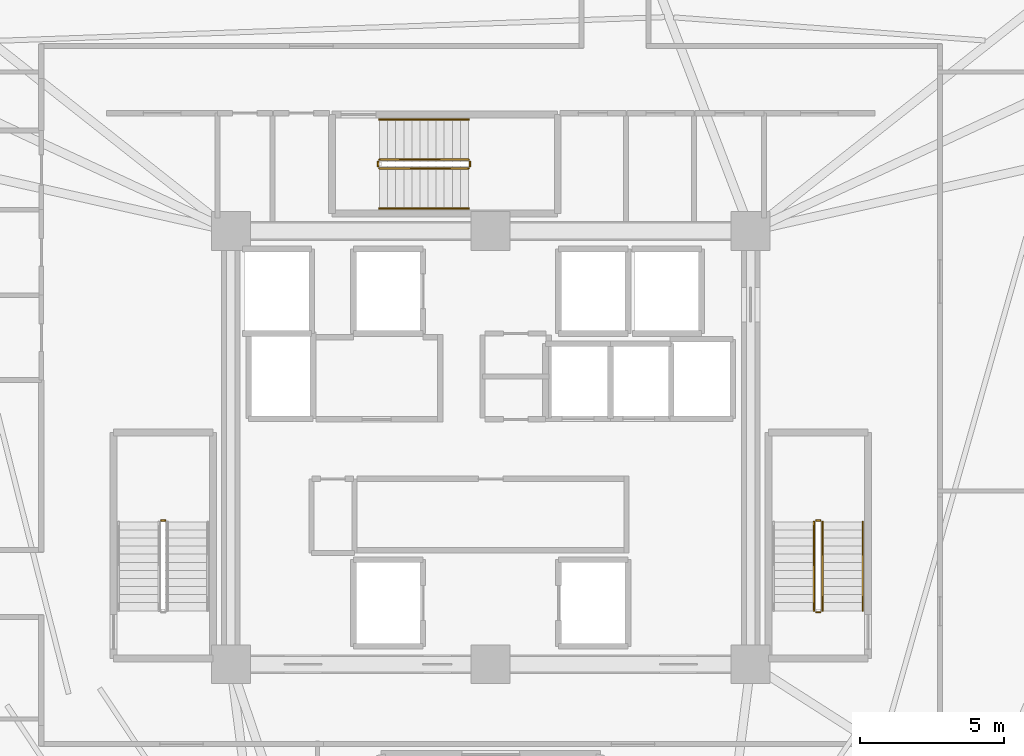
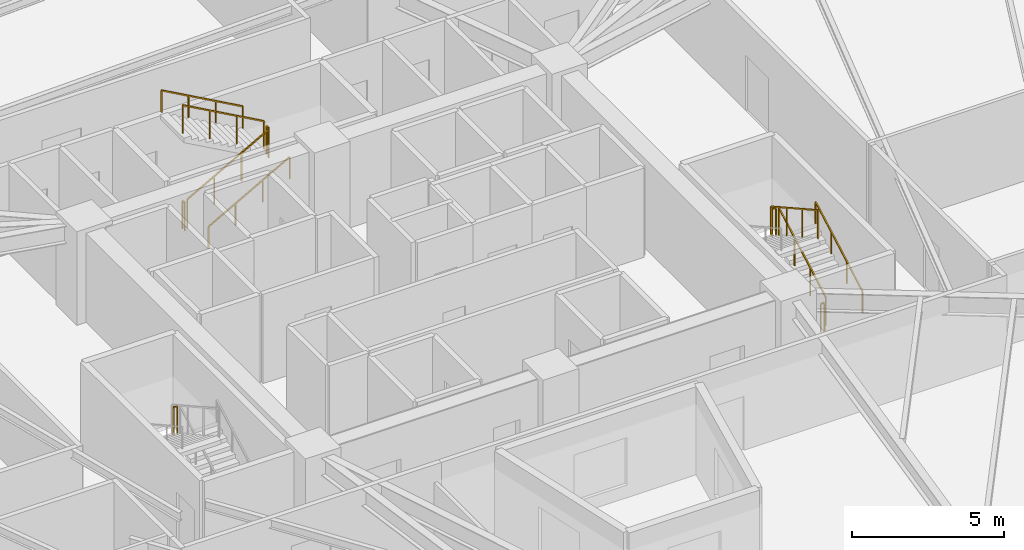
# One storey, part 10 of 10: 12 railings.
"""IFC4 building model written with IfcOpenShell, lengths in metres."""

from ifc_helpers import new_model, si_unit, direction, frame, origin, origin_2d, place, context, subcontext, project, spatial, rectangle, extrude, material, type_object, element, save


model = new_model("IFC4")

# Units and contexts
model_context = context("Model", 3, precision=1e-05, world=origin(), true_north=direction((0.0, 1.0)))
body_context = subcontext(model_context, "Body", "Model", "MODEL_VIEW")
ifc_project = project(units=[si_unit("LENGTHUNIT", "METRE"), si_unit("AREAUNIT", "SQUARE_METRE"), si_unit("VOLUMEUNIT", "CUBIC_METRE"), si_unit("PLANEANGLEUNIT", "RADIAN"), si_unit("MASSUNIT", "GRAM", prefix="KILO")], contexts=[model_context])

# Site, building, storey
site_placement = place(None, origin())
site = spatial("IfcSite", under=ifc_project, at=site_placement, CompositionType="ELEMENT")
building_placement = place(site_placement, origin())
building = spatial("IfcBuilding", under=site, at=building_placement, Name="Liaohun Quay Tower", CompositionType="ELEMENT")
storey_placement = place(building_placement, frame((0.0, 0.0, 216.75)))
storey = spatial("IfcBuildingStorey", under=building, at=storey_placement, Name="L56", CompositionType="ELEMENT", Elevation=216.75)

# Railings
ifc_material_1 = material(Name="Painted tubular steel", Category="steel")
railing_type_1 = type_object("IfcRailingType", Name="RLG-GUARD-STR", PredefinedType="GUARDRAIL", material=ifc_material_1)
railing_1_placement = place(storey_placement, frame((48.72998046875, 51.47998046875, 1.875)))
element("IfcRailing", 1, at=railing_1_placement, inside=storey, type_object=railing_type_1, Name="L56 ST-1 stair guard 2", PredefinedType="GUARDRAIL", context=body_context, shape_type="SweptSolid", body=[
    extrude(rectangle(XDim=0.048095703125, YDim=0.048095703125, at=origin_2d()), frame((0.0, 0.0, 1.1259765625), z_axis=(-1.0, 0.0, 0.0), x_axis=(0.0, -1.0, 0.0)), (0.0, 0.0, 1.0), 0.139892578125),
    extrude(rectangle(XDim=0.0419921875, YDim=0.0419921875, at=origin_2d()), origin(), (0.0, 0.0, 1.0), 1.101806640625),
    extrude(rectangle(XDim=0.0419921875, YDim=0.0419921875, at=origin_2d()), frame((-0.139892578125, 0.0, 0.0)), (0.0, 0.0, 1.0), 1.101806640625),
])
railing_2_placement = place(storey_placement, frame((71.489990234375, 48.35009765625, 0.15625)))
element("IfcRailing", 2, at=railing_2_placement, inside=storey, type_object=railing_type_1, Name="L56 ST-2 stair guard 1", PredefinedType="GUARDRAIL", context=body_context, shape_type="SweptSolid", body=[
    extrude(rectangle(XDim=0.048095703125, YDim=0.048095703125, at=origin_2d()), frame((0.0, 0.0, 1.1259765625), z_axis=(0.0, 0.873225103656, 0.487317061414), x_axis=(-1.0, 0.0, 0.0)), (0.0, 0.0, 1.0), 3.52685546875),
    extrude(rectangle(XDim=0.0419921875, YDim=0.0419921875, at=origin_2d()), origin(), (0.0, 0.0, 1.0), 1.101806640625),
    extrude(rectangle(XDim=0.0419921875, YDim=0.0419921875, at=origin_2d()), frame((0.0, 1.026611328125, 0.572998046875)), (0.0, 0.0, 1.0), 1.101806640625),
    extrude(rectangle(XDim=0.0419921875, YDim=0.0419921875, at=origin_2d()), frame((0.0, 2.05322265625, 1.145751953125)), (0.0, 0.0, 1.0), 1.101806640625),
    extrude(rectangle(XDim=0.0419921875, YDim=0.0419921875, at=origin_2d()), frame((0.0, 3.079833984375, 1.71875)), (0.0, 0.0, 1.0), 1.101806640625),
])
railing_3_placement = place(storey_placement, frame((71.409912109375, 51.47998046875, 1.875)))
element("IfcRailing", 3, at=railing_3_placement, inside=storey, type_object=railing_type_1, Name="L56 ST-2 stair guard 2", PredefinedType="GUARDRAIL", context=body_context, shape_type="SweptSolid", body=[
    extrude(rectangle(XDim=0.048095703125, YDim=0.048095703125, at=origin_2d()), frame((0.0, 0.0, 1.1259765625), z_axis=(-1.0, 0.0, 0.0), x_axis=(0.0, -1.0, 0.0)), (0.0, 0.0, 1.0), 0.139892578125),
    extrude(rectangle(XDim=0.0419921875, YDim=0.0419921875, at=origin_2d()), origin(), (0.0, 0.0, 1.0), 1.101806640625),
    extrude(rectangle(XDim=0.0419921875, YDim=0.0419921875, at=origin_2d()), frame((-0.139892578125, 0.0, 0.0)), (0.0, 0.0, 1.0), 1.101806640625),
])
railing_4_placement = place(storey_placement, frame((71.18994140625, 51.429931640625, 2.03125)))
element("IfcRailing", 4, at=railing_4_placement, inside=storey, type_object=railing_type_1, Name="L56 ST-2 stair guard 3", PredefinedType="GUARDRAIL", context=body_context, shape_type="SweptSolid", body=[
    extrude(rectangle(XDim=0.048095703125, YDim=0.048095703125, at=origin_2d()), frame((0.0, 0.0, 1.1259765625), z_axis=(0.0, -0.873225103656, 0.487317061414), x_axis=(1.0, 0.0, 0.0)), (0.0, 0.0, 1.0), 3.52685546875),
    extrude(rectangle(XDim=0.0419921875, YDim=0.0419921875, at=origin_2d()), origin(), (0.0, 0.0, 1.0), 1.101806640625),
    extrude(rectangle(XDim=0.0419921875, YDim=0.0419921875, at=origin_2d()), frame((0.0, -1.026611328125, 0.572998046875)), (0.0, 0.0, 1.0), 1.101806640625),
    extrude(rectangle(XDim=0.0419921875, YDim=0.0419921875, at=origin_2d()), frame((0.0, -2.05322265625, 1.145751953125)), (0.0, 0.0, 1.0), 1.101806640625),
    extrude(rectangle(XDim=0.0419921875, YDim=0.0419921875, at=origin_2d()), frame((0.0, -3.079833984375, 1.71875)), (0.0, 0.0, 1.0), 1.101806640625),
])
railing_5_placement = place(storey_placement, frame((71.409912109375, 48.300048828125, 0.0)))
element("IfcRailing", 5, at=railing_5_placement, inside=storey, type_object=railing_type_1, Name="L56 ST-2 stair guard 4", PredefinedType="GUARDRAIL", context=body_context, shape_type="SweptSolid", body=[
    extrude(rectangle(XDim=0.048095703125, YDim=0.048095703125, at=origin_2d()), frame((0.0, 0.0, 1.1259765625), z_axis=(-1.0, 0.0, 0.0), x_axis=(0.0, -1.0, 0.0)), (0.0, 0.0, 1.0), 0.139892578125),
    extrude(rectangle(XDim=0.0419921875, YDim=0.0419921875, at=origin_2d()), origin(), (0.0, 0.0, 1.0), 1.101806640625),
    extrude(rectangle(XDim=0.0419921875, YDim=0.0419921875, at=origin_2d()), frame((-0.139892578125, 0.0, 0.0)), (0.0, 0.0, 1.0), 1.101806640625),
])
railing_6_placement = place(storey_placement, frame((56.14990234375, 63.669921875, 0.15625)))
element("IfcRailing", 6, at=railing_6_placement, inside=storey, type_object=railing_type_1, Name="L56 ST-3 stair guard 1", PredefinedType="GUARDRAIL", context=body_context, shape_type="SweptSolid", body=[
    extrude(rectangle(XDim=0.048095703125, YDim=0.048095703125, at=origin_2d()), frame((0.0, 0.0, 1.1259765625), z_axis=(0.873241540666, 0.0, 0.487287606713), x_axis=(0.0, 1.0, 0.0)), (0.0, 0.0, 1.0), 3.527099609375),
    extrude(rectangle(XDim=0.0419921875, YDim=0.0419921875, at=origin_2d()), origin(), (0.0, 0.0, 1.0), 1.101806640625),
    extrude(rectangle(XDim=0.0419921875, YDim=0.0419921875, at=origin_2d()), frame((1.026611328125, 0.0, 0.572998046875)), (0.0, 0.0, 1.0), 1.101806640625),
    extrude(rectangle(XDim=0.0419921875, YDim=0.0419921875, at=origin_2d()), frame((2.053466796875, 0.0, 1.145751953125)), (0.0, 0.0, 1.0), 1.101806640625),
    extrude(rectangle(XDim=0.0419921875, YDim=0.0419921875, at=origin_2d()), frame((3.080078125, 0.0, 1.71875)), (0.0, 0.0, 1.0), 1.101806640625),
])
railing_7_placement = place(storey_placement, frame((59.280029296875, 63.75, 1.875)))
element("IfcRailing", 7, at=railing_7_placement, inside=storey, type_object=railing_type_1, Name="L56 ST-3 stair guard 2", PredefinedType="GUARDRAIL", context=body_context, shape_type="SweptSolid", body=[
    extrude(rectangle(XDim=0.048095703125, YDim=0.048095703125, at=origin_2d()), frame((0.0, 0.0, 1.1259765625), z_axis=(0.0, 1.0, 0.0), x_axis=(-1.0, 0.0, 0.0)), (0.0, 0.0, 1.0), 0.139892578125),
    extrude(rectangle(XDim=0.0419921875, YDim=0.0419921875, at=origin_2d()), origin(), (0.0, 0.0, 1.0), 1.101806640625),
    extrude(rectangle(XDim=0.0419921875, YDim=0.0419921875, at=origin_2d()), frame((0.0, 0.139892578125, 0.0)), (0.0, 0.0, 1.0), 1.101806640625),
])
railing_8_placement = place(storey_placement, frame((59.22998046875, 63.969970703125, 2.03125)))
element("IfcRailing", 8, at=railing_8_placement, inside=storey, type_object=railing_type_1, Name="L56 ST-3 stair guard 3", PredefinedType="GUARDRAIL", context=body_context, shape_type="SweptSolid", body=[
    extrude(rectangle(XDim=0.048095703125, YDim=0.048095703125, at=origin_2d()), frame((0.0, 0.0, 1.1259765625), z_axis=(-0.873241540666, 0.0, 0.487287606713), x_axis=(0.0, -1.0, 0.0)), (0.0, 0.0, 1.0), 3.527099609375),
    extrude(rectangle(XDim=0.0419921875, YDim=0.0419921875, at=origin_2d()), origin(), (0.0, 0.0, 1.0), 1.101806640625),
    extrude(rectangle(XDim=0.0419921875, YDim=0.0419921875, at=origin_2d()), frame((-1.026611328125, 0.0, 0.572998046875)), (0.0, 0.0, 1.0), 1.101806640625),
    extrude(rectangle(XDim=0.0419921875, YDim=0.0419921875, at=origin_2d()), frame((-2.053466796875, 0.0, 1.145751953125)), (0.0, 0.0, 1.0), 1.101806640625),
    extrude(rectangle(XDim=0.0419921875, YDim=0.0419921875, at=origin_2d()), frame((-3.080078125, 0.0, 1.71875)), (0.0, 0.0, 1.0), 1.101806640625),
])
railing_9_placement = place(storey_placement, frame((56.10009765625, 63.75, 0.0)))
element("IfcRailing", 9, at=railing_9_placement, inside=storey, type_object=railing_type_1, Name="L56 ST-3 stair guard 4", PredefinedType="GUARDRAIL", context=body_context, shape_type="SweptSolid", body=[
    extrude(rectangle(XDim=0.048095703125, YDim=0.048095703125, at=origin_2d()), frame((0.0, 0.0, 1.1259765625), z_axis=(0.0, 1.0, 0.0), x_axis=(-1.0, 0.0, 0.0)), (0.0, 0.0, 1.0), 0.139892578125),
    extrude(rectangle(XDim=0.0419921875, YDim=0.0419921875, at=origin_2d()), origin(), (0.0, 0.0, 1.0), 1.101806640625),
    extrude(rectangle(XDim=0.0419921875, YDim=0.0419921875, at=origin_2d()), frame((0.0, 0.139892578125, 0.0)), (0.0, 0.0, 1.0), 1.101806640625),
])
ifc_material_2 = material(Name="Brushed stainless steel", Category="steel")
railing_type_2 = type_object("IfcRailingType", Name="RLG-HND-STR", PredefinedType="HANDRAIL", material=ifc_material_2)
railing_10_placement = place(storey_placement, frame((72.8798828125, 48.35009765625, 0.15625)))
element("IfcRailing", 10, at=railing_10_placement, inside=storey, type_object=railing_type_2, Name="L56 ST-2 stair handrail 1", PredefinedType="HANDRAIL", context=body_context, shape_type="SweptSolid", body=[
    extrude(rectangle(XDim=0.048095703125, YDim=0.048095703125, at=origin_2d()), frame((0.0, 0.0, 0.8759765625), z_axis=(0.0, 0.873225103656, 0.487317061414), x_axis=(-1.0, 0.0, 0.0)), (0.0, 0.0, 1.0), 3.52685546875),
    extrude(rectangle(XDim=0.0419921875, YDim=0.0419921875, at=origin_2d()), origin(), (0.0, 0.0, 1.0), 0.851806640625),
    extrude(rectangle(XDim=0.0419921875, YDim=0.0419921875, at=origin_2d()), frame((0.0, 1.026611328125, 0.572998046875)), (0.0, 0.0, 1.0), 0.851806640625),
    extrude(rectangle(XDim=0.0419921875, YDim=0.0419921875, at=origin_2d()), frame((0.0, 2.05322265625, 1.145751953125)), (0.0, 0.0, 1.0), 0.851806640625),
    extrude(rectangle(XDim=0.0419921875, YDim=0.0419921875, at=origin_2d()), frame((0.0, 3.079833984375, 1.71875)), (0.0, 0.0, 1.0), 0.851806640625),
])
railing_11_placement = place(storey_placement, frame((56.14990234375, 62.280029296875, 0.15625)))
element("IfcRailing", 11, at=railing_11_placement, inside=storey, type_object=railing_type_2, Name="L56 ST-3 stair handrail 1", PredefinedType="HANDRAIL", context=body_context, shape_type="SweptSolid", body=[
    extrude(rectangle(XDim=0.048095703125, YDim=0.048095703125, at=origin_2d()), frame((0.0, 0.0, 0.8759765625), z_axis=(0.873241540666, 0.0, 0.487287606713), x_axis=(0.0, 1.0, 0.0)), (0.0, 0.0, 1.0), 3.527099609375),
    extrude(rectangle(XDim=0.0419921875, YDim=0.0419921875, at=origin_2d()), origin(), (0.0, 0.0, 1.0), 0.851806640625),
    extrude(rectangle(XDim=0.0419921875, YDim=0.0419921875, at=origin_2d()), frame((1.026611328125, 0.0, 0.572998046875)), (0.0, 0.0, 1.0), 0.851806640625),
    extrude(rectangle(XDim=0.0419921875, YDim=0.0419921875, at=origin_2d()), frame((2.053466796875, 0.0, 1.145751953125)), (0.0, 0.0, 1.0), 0.851806640625),
    extrude(rectangle(XDim=0.0419921875, YDim=0.0419921875, at=origin_2d()), frame((3.080078125, 0.0, 1.71875)), (0.0, 0.0, 1.0), 0.851806640625),
])
railing_12_placement = place(storey_placement, frame((59.22998046875, 65.360107421875, 2.03125)))
element("IfcRailing", 12, at=railing_12_placement, inside=storey, type_object=railing_type_2, Name="L56 ST-3 stair handrail 2", PredefinedType="HANDRAIL", context=body_context, shape_type="SweptSolid", body=[
    extrude(rectangle(XDim=0.048095703125, YDim=0.048095703125, at=origin_2d()), frame((0.0, 0.0, 0.8759765625), z_axis=(-0.873241540666, 0.0, 0.487287606713), x_axis=(0.0, -1.0, 0.0)), (0.0, 0.0, 1.0), 3.527099609375),
    extrude(rectangle(XDim=0.0419921875, YDim=0.0419921875, at=origin_2d()), origin(), (0.0, 0.0, 1.0), 0.851806640625),
    extrude(rectangle(XDim=0.0419921875, YDim=0.0419921875, at=origin_2d()), frame((-1.026611328125, 0.0, 0.572998046875)), (0.0, 0.0, 1.0), 0.851806640625),
    extrude(rectangle(XDim=0.0419921875, YDim=0.0419921875, at=origin_2d()), frame((-2.053466796875, 0.0, 1.145751953125)), (0.0, 0.0, 1.0), 0.851806640625),
    extrude(rectangle(XDim=0.0419921875, YDim=0.0419921875, at=origin_2d()), frame((-3.080078125, 0.0, 1.71875)), (0.0, 0.0, 1.0), 0.851806640625),
])

save(model, "model.ifc")
